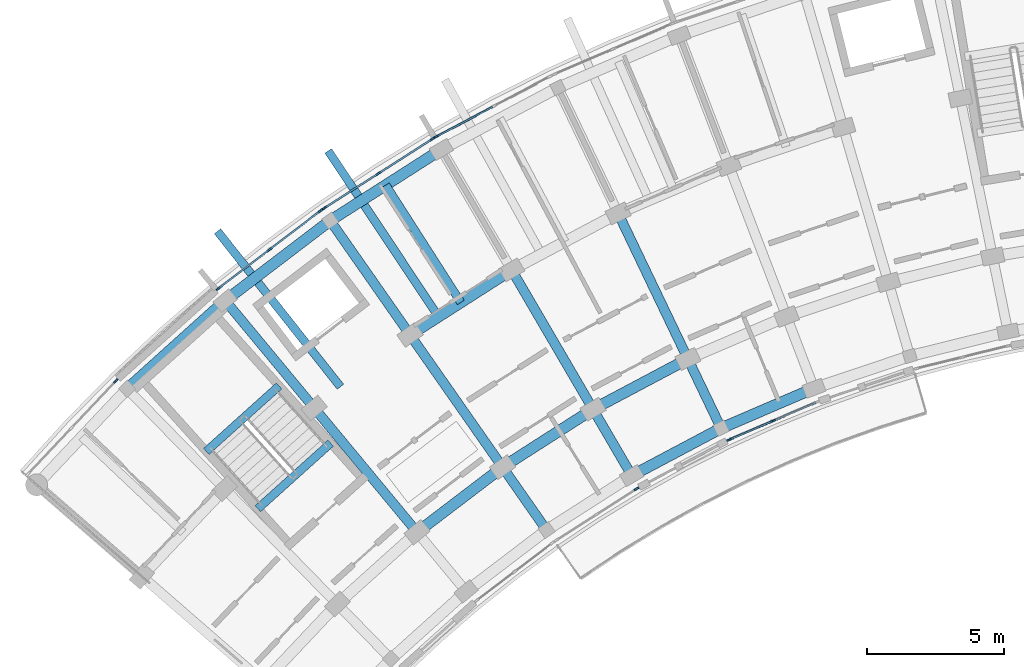
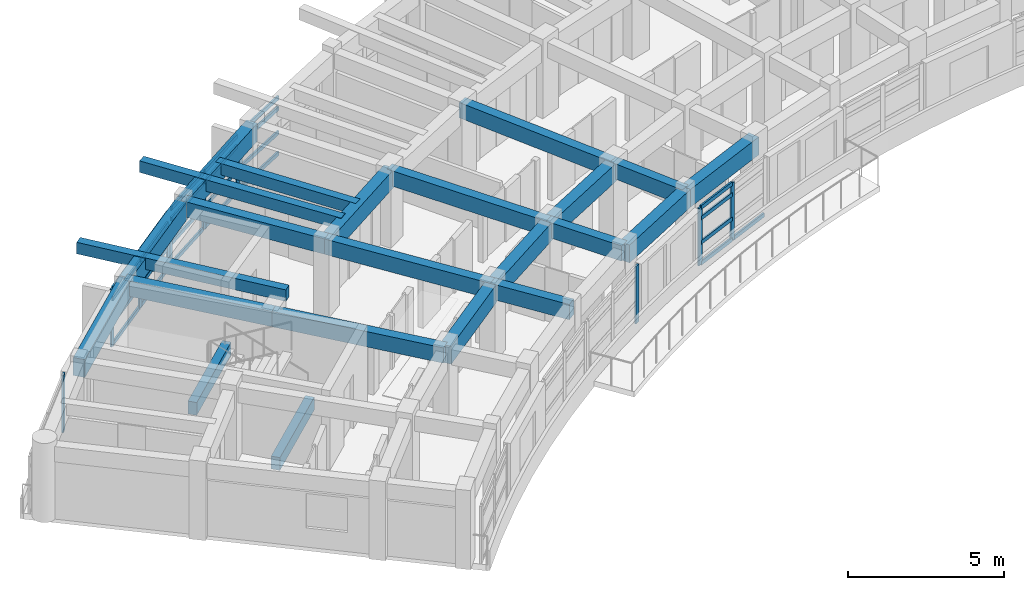
# One storey, part 4 of 56: 36 members, 23 beams, 6 elements without a shape of their own.
"""IFC4 building model written with IfcOpenShell, lengths in metres."""

from ifc_helpers import new_model, si_unit, direction, frame, origin, origin_2d, place, context, subcontext, project, spatial, rectangle, extrude, material, material_profile, profile_set, type_object, element, aggregate, save


model = new_model("IFC4")

# Units and contexts
model_context = context("Model", 3, precision=1e-05, world=origin(), true_north=direction((0.0, 1.0)))
body_context = subcontext(model_context, "Body", "Model", "MODEL_VIEW")
ifc_project = project(units=[si_unit("LENGTHUNIT", "METRE"), si_unit("AREAUNIT", "SQUARE_METRE"), si_unit("VOLUMEUNIT", "CUBIC_METRE"), si_unit("PLANEANGLEUNIT", "RADIAN"), si_unit("MASSUNIT", "GRAM", prefix="KILO")], contexts=[model_context])

# Site, building, storey
site_placement = place(None, origin())
site = spatial("IfcSite", under=ifc_project, at=site_placement, CompositionType="ELEMENT")
building_placement = place(site_placement, origin())
building = spatial("IfcBuilding", under=site, at=building_placement, Name="Zimvara Arc Housing Community", CompositionType="ELEMENT")
storey_placement = place(building_placement, frame((0.0, 0.0, 17.39990234375)))
storey = spatial("IfcBuildingStorey", under=building, at=storey_placement, Name="L05", CompositionType="ELEMENT", Elevation=17.39990234375)

# Beams
ifc_material_1 = material(Name="Concrete C40/50", Category="concrete")
ifc_material_profile_1 = material_profile(ifc_material_1, rectangle(XDim=0.300048828125, YDim=0.449951171875, at=origin_2d()), Name="RC 300x450")
ifc_profile_set_1 = profile_set([ifc_material_profile_1], Name="Concrete C40/50")
beam_type_1 = type_object("IfcBeamType", Name="BM-RC-300x450", PredefinedType="JOIST", material=ifc_profile_set_1)
beam_1_placement = place(storey_placement, frame((16.0224609375, 89.776123046875, 2.64501953125), z_axis=(-0.539052331508, 0.842272274206, 0.0), x_axis=(-0.842272274206, -0.539052331508, 0.0)))
element("IfcBeam", 1, at=beam_1_placement, inside=storey, type_object=beam_type_1, Name="bm:blkA:L05:joist:b3", PredefinedType="JOIST", context=body_context, shape_type="SweptSolid", body=[
    extrude(rectangle(XDim=0.300048828125, YDim=0.449951171875, at=origin_2d()), origin(), (0.0, 0.0, 1.0), 5.07568359375),
])
for number, where, z_axis, x_axis, name in (
    (2, (11.634033203125, 86.703857421875, 2.6650390625), (-0.620202196013, 0.784441990246, 0.0), (-0.784441990246, -0.620202196013, 0.0), "bm:blkA:L05:cant_out:b2"),
    (3, (15.188720703125, 89.285400390625, 2.6650390625), (-0.554114811637, 0.832440253426, 0.0), (-0.832440253426, -0.554114811637, 0.0), "bm:blkA:L05:cant_out:b3"),
):
    element("IfcBeam", number, at=place(storey_placement, frame(where, z_axis=z_axis, x_axis=x_axis)), inside=storey, type_object=beam_type_1, Name=name, PredefinedType="JOIST", context=body_context, shape_type="SweptSolid", body=[
        extrude(rectangle(XDim=0.300048828125, YDim=0.449951171875, at=origin_2d()), origin(), (0.0, 0.0, 1.0), 7.219970703125),
    ])
ifc_material_2 = material(Name="Concrete C40/50", Category="concrete")
ifc_material_profile_2 = material_profile(ifc_material_2, rectangle(XDim=0.300048828125, YDim=0.5, at=origin_2d()), Name="RC 300x500")
ifc_profile_set_2 = profile_set([ifc_material_profile_2], Name="Concrete C40/50")
beam_type_2 = type_object("IfcBeamType", Name="BM-RC-300x500", PredefinedType="BEAM", material=ifc_profile_set_2)
for number, where, z_axis, x_axis, name in (
    (4, (11.278076171875, 84.64697265625, -0.25), (-0.743362151162, -0.668889162881, 0.0), (0.668889162881, -0.743362151162, 0.0), "bm:stair_trim:ST-A1:L05:near"),
    (5, (9.39990234375, 86.734375, 1.300048828125), (-0.743362151162, -0.668889162881, 0.0), (0.668889162881, -0.743362151162, 0.0), "bm:stair_trim:ST-A1:L05:mid"),
):
    element("IfcBeam", number, at=place(storey_placement, frame(where, z_axis=z_axis, x_axis=x_axis)), inside=storey, type_object=beam_type_2, Name=name, PredefinedType="BEAM", context=body_context, shape_type="SweptSolid", body=[
        extrude(rectangle(XDim=0.300048828125, YDim=0.5, at=origin_2d()), origin(), (0.0, 0.0, 1.0), 3.570068359375),
    ])
ifc_material_3 = material(Name="Concrete C40/50", Category="concrete")
ifc_material_profile_3 = material_profile(ifc_material_3, rectangle(XDim=0.35009765625, YDim=0.60009765625, at=origin_2d()), Name="RC 350x600")
ifc_profile_set_3 = profile_set([ifc_material_profile_3], Name="Concrete C40/50")
beam_type_3 = type_object("IfcBeamType", Name="BM-RC-350x600", PredefinedType="BEAM", material=ifc_profile_set_3)
beam_2_placement = place(storey_placement, frame((14.428955078125, 81.401611328125, 2.570068359375), z_axis=(-0.637955964415, 0.770072845559, 0.0), x_axis=(-0.770072845559, -0.637955964415, 0.0)))
element("IfcBeam", 6, at=beam_2_placement, inside=storey, type_object=beam_type_3, Name="bm:blkA:L05:rad:b2:r12", PredefinedType="BEAM", context=body_context, shape_type="SweptSolid", body=[
    extrude(rectangle(XDim=0.35009765625, YDim=0.60009765625, at=origin_2d()), origin(), (0.0, 0.0, 1.0), 5.880126953125),
])
beam_3_placement = place(storey_placement, frame((10.677734375, 85.9296875, 2.570068359375), z_axis=(-0.637983669165, 0.77004989311, 0.0), x_axis=(-0.77004989311, -0.637983669165, 0.0)))
element("IfcBeam", 7, at=beam_3_placement, inside=storey, type_object=beam_type_3, Name="bm:blkA:L05:rad:b2:r23", PredefinedType="BEAM", context=body_context, shape_type="SweptSolid", body=[
    extrude(rectangle(XDim=0.35009765625, YDim=0.60009765625, at=origin_2d()), origin(), (0.0, 0.0, 1.0), 5.080078125),
])
beam_4_placement = place(storey_placement, frame((19.14599609375, 81.478271484375, 2.570068359375), z_axis=(-0.57297651105, 0.819571789281, 0.0), x_axis=(-0.819571789281, -0.57297651105, 0.0)))
element("IfcBeam", 8, at=beam_4_placement, inside=storey, type_object=beam_type_3, Name="bm:blkA:L05:rad:b3:r01", PredefinedType="BEAM", context=body_context, shape_type="SweptSolid", body=[
    extrude(rectangle(XDim=0.35009765625, YDim=0.60009765625, at=origin_2d()), origin(), (0.0, 0.0, 1.0), 2.7998046875),
])
beam_5_placement = place(storey_placement, frame((17.541748046875, 83.77294921875, 2.570068359375), z_axis=(-0.573027549978, 0.819536104736, 0.0), x_axis=(-0.819536104736, -0.573027549978, 0.0)))
element("IfcBeam", 9, at=beam_5_placement, inside=storey, type_object=beam_type_3, Name="bm:blkA:L05:rad:b3:r12", PredefinedType="BEAM", context=body_context, shape_type="SweptSolid", body=[
    extrude(rectangle(XDim=0.35009765625, YDim=0.60009765625, at=origin_2d()), origin(), (0.0, 0.0, 1.0), 5.8798828125),
])
beam_6_placement = place(storey_placement, frame((14.17236328125, 88.591796875, 2.570068359375), z_axis=(-0.573007469479, 0.819550144848, 0.0), x_axis=(-0.819550144848, -0.573007469479, 0.0)))
element("IfcBeam", 10, at=beam_6_placement, inside=storey, type_object=beam_type_3, Name="bm:blkA:L05:rad:b3:r23", PredefinedType="BEAM", context=body_context, shape_type="SweptSolid", body=[
    extrude(rectangle(XDim=0.35009765625, YDim=0.60009765625, at=origin_2d()), origin(), (0.0, 0.0, 1.0), 5.080078125),
])
beam_7_placement = place(storey_placement, frame((22.249267578125, 83.46435546875, 2.570068359375), z_axis=(-0.504239631668, 0.86356377521, 0.0), x_axis=(-0.86356377521, -0.504239631668, 0.0)))
element("IfcBeam", 11, at=beam_7_placement, inside=storey, type_object=beam_type_3, Name="bm:blkA:L05:rad:b4:r01", PredefinedType="BEAM", context=body_context, shape_type="SweptSolid", body=[
    extrude(rectangle(XDim=0.35009765625, YDim=0.60009765625, at=origin_2d()), origin(), (0.0, 0.0, 1.0), 2.800048828125),
])
beam_8_placement = place(storey_placement, frame((20.83740234375, 85.88232421875, 2.570068359375), z_axis=(-0.504219494781, 0.863575532934, 0.0), x_axis=(-0.863575532934, -0.504219494781, 0.0)))
element("IfcBeam", 12, at=beam_8_placement, inside=storey, type_object=beam_type_3, Name="bm:blkA:L05:rad:b4:r12", PredefinedType="BEAM", context=body_context, shape_type="SweptSolid", body=[
    extrude(rectangle(XDim=0.35009765625, YDim=0.60009765625, at=origin_2d()), origin(), (0.0, 0.0, 1.0), 5.880126953125),
])
beam_9_placement = place(storey_placement, frame((25.50439453125, 85.190673828125, 2.570068359375), z_axis=(-0.432118703138, 0.901816736593, 0.0), x_axis=(-0.901816736593, -0.432118703138, 0.0)))
element("IfcBeam", 13, at=beam_9_placement, inside=storey, type_object=beam_type_3, Name="bm:blkA:L05:rad:b5:r01", PredefinedType="BEAM", context=body_context, shape_type="SweptSolid", body=[
    extrude(rectangle(XDim=0.35009765625, YDim=0.60009765625, at=origin_2d()), origin(), (0.0, 0.0, 1.0), 2.800048828125),
])
beam_10_placement = place(storey_placement, frame((24.29443359375, 87.7158203125, 2.570068359375), z_axis=(-0.432069527705, 0.901840298073, 0.0), x_axis=(-0.901840298073, -0.432069527705, 0.0)))
element("IfcBeam", 14, at=beam_10_placement, inside=storey, type_object=beam_type_3, Name="bm:blkA:L05:rad:b5:r12", PredefinedType="BEAM", context=body_context, shape_type="SweptSolid", body=[
    extrude(rectangle(XDim=0.35009765625, YDim=0.60009765625, at=origin_2d()), origin(), (0.0, 0.0, 1.0), 5.8798828125),
])
ifc_material_4 = material(Name="Concrete C40/50", Category="concrete")
ifc_material_profile_4 = material_profile(ifc_material_4, rectangle(XDim=0.39990234375, YDim=0.699951171875, at=origin_2d()), Name="RC 400x700")
ifc_profile_set_4 = profile_set([ifc_material_profile_4], Name="Concrete C40/50")
beam_type_4 = type_object("IfcBeamType", Name="BM-RC-400x700", PredefinedType="BEAM", material=ifc_profile_set_4)
beam_11_placement = place(storey_placement, frame((22.249267578125, 83.46435546875, 2.52001953125), z_axis=(0.883449220086, 0.468526920815, 0.0), x_axis=(-0.468526920815, 0.883449220086, 0.0)))
element("IfcBeam", 15, at=beam_11_placement, inside=storey, type_object=beam_type_4, Name="bm:blkA:L05:chord:r0:b4", PredefinedType="BEAM", context=body_context, shape_type="SweptSolid", body=[
    extrude(rectangle(XDim=0.39990234375, YDim=0.699951171875, at=origin_2d()), origin(), (0.0, 0.0, 1.0), 3.6845703125),
])
beam_12_placement = place(storey_placement, frame((25.50439453125, 85.190673828125, 2.52001953125), z_axis=(0.918705736243, 0.394942742932, 0.0), x_axis=(-0.394942742932, 0.918705736243, 0.0)))
element("IfcBeam", 16, at=beam_12_placement, inside=storey, type_object=beam_type_4, Name="bm:blkA:L05:chord:r0:b5", PredefinedType="BEAM", context=body_context, shape_type="SweptSolid", body=[
    extrude(rectangle(XDim=0.39990234375, YDim=0.699951171875, at=origin_2d()), origin(), (0.0, 0.0, 1.0), 3.684326171875),
])
beam_13_placement = place(storey_placement, frame((14.428955078125, 81.401611328125, 2.52001953125), z_axis=(0.795470387579, 0.605992460749, 0.0), x_axis=(-0.605992460749, 0.795470387579, 0.0)))
element("IfcBeam", 17, at=beam_13_placement, inside=storey, type_object=beam_type_4, Name="bm:blkA:L05:chord:r1:b2", PredefinedType="BEAM", context=body_context, shape_type="SweptSolid", body=[
    extrude(rectangle(XDim=0.39990234375, YDim=0.699951171875, at=origin_2d()), origin(), (0.0, 0.0, 1.0), 3.9130859375),
])
beam_14_placement = place(storey_placement, frame((17.541748046875, 83.77294921875, 2.52001953125), z_axis=(0.842253269878, 0.539082024724, 0.0), x_axis=(-0.539082024724, 0.842253269878, 0.0)))
element("IfcBeam", 18, at=beam_14_placement, inside=storey, type_object=beam_type_4, Name="bm:blkA:L05:chord:r1:b3", PredefinedType="BEAM", context=body_context, shape_type="SweptSolid", body=[
    extrude(rectangle(XDim=0.39990234375, YDim=0.699951171875, at=origin_2d()), origin(), (0.0, 0.0, 1.0), 3.912841796875),
])
beam_15_placement = place(storey_placement, frame((20.83740234375, 85.88232421875, 2.52001953125), z_axis=(0.883438625159, 0.468546897948, 0.0), x_axis=(-0.468546897948, 0.883438625159, 0.0)))
element("IfcBeam", 19, at=beam_15_placement, inside=storey, type_object=beam_type_4, Name="bm:blkA:L05:chord:r1:b4", PredefinedType="BEAM", context=body_context, shape_type="SweptSolid", body=[
    extrude(rectangle(XDim=0.39990234375, YDim=0.699951171875, at=origin_2d()), origin(), (0.0, 0.0, 1.0), 3.9130859375),
])
beam_16_placement = place(storey_placement, frame((14.17236328125, 88.591796875, 2.52001953125), z_axis=(0.842242131326, 0.539099427025, 0.0), x_axis=(-0.539099427025, 0.842242131326, 0.0)))
element("IfcBeam", 20, at=beam_16_placement, inside=storey, type_object=beam_type_4, Name="bm:blkA:L05:chord:r2:b3", PredefinedType="BEAM", context=body_context, shape_type="SweptSolid", body=[
    extrude(rectangle(XDim=0.39990234375, YDim=0.699951171875, at=origin_2d()), origin(), (0.0, 0.0, 1.0), 4.393310546875),
])
beam_17_placement = place(storey_placement, frame((3.862548828125, 86.625732421875, 2.52001953125), z_axis=(0.743395133402, 0.668852506637, 0.0), x_axis=(-0.668852506637, 0.743395133402, 0.0)))
element("IfcBeam", 21, at=beam_17_placement, inside=storey, type_object=beam_type_4, Name="bm:blkA:L05:chord:r3:b1", PredefinedType="BEAM", context=body_context, shape_type="SweptSolid", body=[
    extrude(rectangle(XDim=0.39990234375, YDim=0.699951171875, at=origin_2d()), origin(), (0.0, 0.0, 1.0), 4.807861328125),
])
beam_18_placement = place(storey_placement, frame((7.436767578125, 89.841552734375, 2.52001953125), z_axis=(0.795480673672, 0.605978958228, 0.0), x_axis=(-0.605978958228, 0.795480673672, 0.0)))
element("IfcBeam", 22, at=beam_18_placement, inside=storey, type_object=beam_type_4, Name="bm:blkA:L05:chord:r3:b2", PredefinedType="BEAM", context=body_context, shape_type="SweptSolid", body=[
    extrude(rectangle(XDim=0.39990234375, YDim=0.699951171875, at=origin_2d()), origin(), (0.0, 0.0, 1.0), 4.80810546875),
])
beam_19_placement = place(storey_placement, frame((11.261474609375, 92.755126953125, 2.52001953125), z_axis=(0.842255724028, 0.539078190379, 0.0), x_axis=(-0.539078190379, 0.842255724028, 0.0)))
element("IfcBeam", 23, at=beam_19_placement, inside=storey, type_object=beam_type_4, Name="bm:blkA:L05:chord:r3:b3", PredefinedType="BEAM", context=body_context, shape_type="SweptSolid", body=[
    extrude(rectangle(XDim=0.39990234375, YDim=0.699951171875, at=origin_2d()), origin(), (0.0, 0.0, 1.0), 4.808349609375),
])

# Curtain wall, member
ifc_material_5 = material(Name="Anodised Aluminium AW-6063", Category="aluminium")
curtain_wall_type_1 = type_object("IfcCurtainWallType", Name="CW-SYS-08", PredefinedType="USERDEFINED", material=ifc_material_5)
curtain_wall_1_placement = place(storey_placement, origin())
curtain_wall_1 = element("IfcCurtainWall", 24, at=curtain_wall_1_placement, inside=storey, type_object=curtain_wall_type_1, Name="cw:blkA:L05:in:b3", ObjectType="CURTAIN WALL", PredefinedType="USERDEFINED")
ifc_material_6 = material(Name="Anodised Aluminium AW-6063", Category="aluminium")
ifc_material_profile_5 = material_profile(ifc_material_6, rectangle(XDim=0.06494140625, YDim=0.179931640625, at=origin_2d()), Name="ALU 65x180")
ifc_profile_set_5 = profile_set([ifc_material_profile_5], Name="Anodised Aluminium AW-6063")
member_type_1 = type_object("IfcMemberType", Name="CWM-65x150", PredefinedType="MULLION", material=ifc_profile_set_5)
member_1_placement = place(storey_placement, frame((22.423583984375, 82.982666015625, 0.0), z_axis=(0.0, 0.0, 1.0), x_axis=(-0.539064085203, 0.842264751752, 0.0)))
member_1 = element("IfcMember", 25, at=member_1_placement, type_object=member_type_1, Name="CW08 mullion 3", PredefinedType="MULLION", context=body_context, shape_type="SweptSolid", body=[
    extrude(rectangle(XDim=0.06494140625, YDim=0.179931640625, at=origin_2d()), origin(), (0.0, 0.0, 1.0), 2.25),
])
aggregate(curtain_wall_1, [member_1])

ifc_material_7 = material(Name="Anodised Aluminium AW-6063", Category="aluminium")
curtain_wall_type_2 = type_object("IfcCurtainWallType", Name="CW-SYS-03", PredefinedType="USERDEFINED", material=ifc_material_7)
curtain_wall_2_placement = place(storey_placement, origin())
curtain_wall_2 = element("IfcCurtainWall", 26, at=curtain_wall_2_placement, inside=storey, type_object=curtain_wall_type_2, Name="cw:blkA:L05:out:b0", ObjectType="CURTAIN WALL", PredefinedType="USERDEFINED")
ifc_material_8 = material(Name="Anodised Aluminium AW-6063", Category="aluminium")
ifc_material_profile_6 = material_profile(ifc_material_8, rectangle(XDim=0.06494140625, YDim=0.195068359375, at=origin_2d()), Name="ALU 65x195")
ifc_profile_set_6 = profile_set([ifc_material_profile_6], Name="Anodised Aluminium AW-6063")
member_type_2 = type_object("IfcMemberType", Name="CWM-65x180", PredefinedType="MULLION", material=ifc_profile_set_6)
member_2_placement = place(storey_placement, frame((3.44970703125, 86.916015625, 0.0), z_axis=(0.0, 0.0, 1.0), x_axis=(-0.727293647725, 0.686326416495, 0.0)))
member_2 = element("IfcMember", 27, at=member_2_placement, type_object=member_type_2, Name="CW03 mullion 3", PredefinedType="MULLION", context=body_context, shape_type="SweptSolid", body=[
    extrude(rectangle(XDim=0.06494140625, YDim=0.195068359375, at=origin_2d()), origin(), (0.0, 0.0, 1.0), 2.25),
])
aggregate(curtain_wall_2, [member_2])

# Curtain wall, members
ifc_material_9 = material(Name="Anodised Aluminium AW-6063", Category="aluminium")
curtain_wall_type_3 = type_object("IfcCurtainWallType", Name="CW-SYS-05", PredefinedType="USERDEFINED", material=ifc_material_9)
curtain_wall_3_placement = place(storey_placement, origin())
curtain_wall_3 = element("IfcCurtainWall", 28, at=curtain_wall_3_placement, inside=storey, type_object=curtain_wall_type_3, Name="cw:blkA:L05:out:b2", ObjectType="CURTAIN WALL", PredefinedType="USERDEFINED")
member_3_placement = place(storey_placement, frame((7.19140625, 90.28271484375, 0.0), z_axis=(0.0, 0.0, 1.0), x_axis=(-0.60598771987, 0.795473999177, 0.0)))
member_3 = element("IfcMember", 29, at=member_3_placement, type_object=member_type_2, Name="CW05 mullion 1", PredefinedType="MULLION", context=body_context, shape_type="SweptSolid", body=[
    extrude(rectangle(XDim=0.06494140625, YDim=0.195068359375, at=origin_2d()), origin(), (0.0, 0.0, 1.0), 2.25),
])
member_4_placement = place(storey_placement, frame((9.04638671875, 91.69580078125, 0.0), z_axis=(0.0, 0.0, 1.0), x_axis=(-0.60598771987, 0.795473999177, 0.0)))
member_4 = element("IfcMember", 30, at=member_4_placement, type_object=member_type_2, Name="CW05 mullion 2", PredefinedType="MULLION", context=body_context, shape_type="SweptSolid", body=[
    extrude(rectangle(XDim=0.06494140625, YDim=0.195068359375, at=origin_2d()), origin(), (0.0, 0.0, 1.0), 2.25),
])
member_5_placement = place(storey_placement, frame((10.9013671875, 93.10888671875, 0.0), z_axis=(0.0, 0.0, 1.0), x_axis=(-0.60598771987, 0.795473999177, 0.0)))
member_5 = element("IfcMember", 31, at=member_5_placement, type_object=member_type_2, Name="CW05 mullion 3", PredefinedType="MULLION", context=body_context, shape_type="SweptSolid", body=[
    extrude(rectangle(XDim=0.06494140625, YDim=0.195068359375, at=origin_2d()), origin(), (0.0, 0.0, 1.0), 2.25),
])

ifc_material_10 = material(Name="Anodised Aluminium AW-6063", Category="aluminium")
curtain_wall_type_4 = type_object("IfcCurtainWallType", Name="CW-SYS-07", PredefinedType="USERDEFINED", material=ifc_material_10)
curtain_wall_4_placement = place(storey_placement, origin())
curtain_wall_4 = element("IfcCurtainWall", 32, at=curtain_wall_4_placement, inside=storey, type_object=curtain_wall_type_4, Name="cw:blkA:L05:out:b3", ObjectType="CURTAIN WALL", PredefinedType="USERDEFINED")
member_6_placement = place(storey_placement, frame((11.052978515625, 93.21484375, 0.0), z_axis=(0.0, 0.0, 1.0), x_axis=(-0.539064617721, 0.842264410931, 0.0)))
member_6 = element("IfcMember", 33, at=member_6_placement, type_object=member_type_2, Name="CW07 mullion 1", PredefinedType="MULLION", context=body_context, shape_type="SweptSolid", body=[
    extrude(rectangle(XDim=0.06494140625, YDim=0.195068359375, at=origin_2d()), origin(), (0.0, 0.0, 1.0), 2.25),
])
member_7_placement = place(storey_placement, frame((13.01708984375, 94.471923828125, 0.0), z_axis=(0.0, 0.0, 1.0), x_axis=(-0.539064617721, 0.842264410931, 0.0)))
member_7 = element("IfcMember", 34, at=member_7_placement, type_object=member_type_2, Name="CW07 mullion 2", PredefinedType="MULLION", context=body_context, shape_type="SweptSolid", body=[
    extrude(rectangle(XDim=0.06494140625, YDim=0.195068359375, at=origin_2d()), origin(), (0.0, 0.0, 1.0), 2.25),
])
member_8_placement = place(storey_placement, frame((14.981201171875, 95.72900390625, 0.0), z_axis=(0.0, 0.0, 1.0), x_axis=(-0.539064617721, 0.842264410931, 0.0)))
member_8 = element("IfcMember", 35, at=member_8_placement, type_object=member_type_2, Name="CW07 mullion 3", PredefinedType="MULLION", context=body_context, shape_type="SweptSolid", body=[
    extrude(rectangle(XDim=0.06494140625, YDim=0.195068359375, at=origin_2d()), origin(), (0.0, 0.0, 1.0), 2.25),
])

# Curtain wall, member
ifc_material_11 = material(Name="Anodised Aluminium AW-6063", Category="aluminium")
curtain_wall_type_5 = type_object("IfcCurtainWallType", Name="CW-SYS-01", PredefinedType="USERDEFINED", material=ifc_material_11)
curtain_wall_5_placement = place(storey_placement, origin())
curtain_wall_5 = element("IfcCurtainWall", 36, at=curtain_wall_5_placement, inside=storey, type_object=curtain_wall_type_5, Name="cw:blkA:L05:out:b4", ObjectType="CURTAIN WALL", PredefinedType="USERDEFINED")
member_9_placement = place(storey_placement, frame((15.140869140625, 95.822265625, 0.0), z_axis=(0.0, 0.0, 1.0), x_axis=(-0.468546917761, 0.883438614651, 0.0)))
member_9 = element("IfcMember", 37, at=member_9_placement, type_object=member_type_2, Name="CW01 mullion 1", PredefinedType="MULLION", context=body_context, shape_type="SweptSolid", body=[
    extrude(rectangle(XDim=0.06494140625, YDim=0.195068359375, at=origin_2d()), origin(), (0.0, 0.0, 1.0), 2.25),
])

# Curtain wall, members
curtain_wall_6_placement = place(storey_placement, origin())
curtain_wall_6 = element("IfcCurtainWall", 38, at=curtain_wall_6_placement, inside=storey, type_object=curtain_wall_type_2, Name="cw:blkA:L05:in:b5", ObjectType="CURTAIN WALL", PredefinedType="USERDEFINED")
member_10_placement = place(storey_placement, frame((25.805419921875, 84.7763671875, 0.0), z_axis=(0.0, 0.0, 1.0), x_axis=(-0.394904493375, 0.918722178415, 0.0)))
member_10 = element("IfcMember", 39, at=member_10_placement, type_object=member_type_2, Name="CW03 mullion 1", PredefinedType="MULLION", context=body_context, shape_type="SweptSolid", body=[
    extrude(rectangle(XDim=0.06494140625, YDim=0.195068359375, at=origin_2d()), origin(), (0.0, 0.0, 1.0), 2.25),
])
member_11_placement = place(storey_placement, frame((27.39404296875, 85.459228515625, 0.0), z_axis=(0.0, 0.0, 1.0), x_axis=(-0.394904493375, 0.918722178415, 0.0)))
member_11 = element("IfcMember", 40, at=member_11_placement, type_object=member_type_2, Name="CW03 mullion 2", PredefinedType="MULLION", context=body_context, shape_type="SweptSolid", body=[
    extrude(rectangle(XDim=0.06494140625, YDim=0.195068359375, at=origin_2d()), origin(), (0.0, 0.0, 1.0), 2.25),
])

# Member
ifc_material_12 = material(Name="Anodised Aluminium AW-6063", Category="aluminium")
ifc_material_profile_7 = material_profile(ifc_material_12, rectangle(XDim=0.06494140625, YDim=0.155029296875, at=origin_2d()), Name="ALU 65x155")
ifc_profile_set_7 = profile_set([ifc_material_profile_7], Name="Anodised Aluminium AW-6063")
member_type_3 = type_object("IfcMemberType", Name="CWT-65x140", PredefinedType="USERDEFINED", material=ifc_profile_set_7)
member_12_placement = place(storey_placement, frame((7.21728515625, 90.302490234375, 0.03271484375), z_axis=(0.795505886513, 0.605945859399, 0.0), x_axis=(-0.605945859399, 0.795505886513, 0.0)))
member_12 = element("IfcMember", 41, at=member_12_placement, type_object=member_type_3, Name="CW05 transom 1.1", ObjectType="TRANSOM", PredefinedType="USERDEFINED", context=body_context, shape_type="SweptSolid", body=[
    extrude(rectangle(XDim=0.06494140625, YDim=0.155029296875, at=origin_2d()), origin(), (0.0, 0.0, 1.0), 2.266845703125),
])

member_13_placement = place(storey_placement, frame((7.21728515625, 90.302490234375, 0.85009765625), z_axis=(0.795505886513, 0.605945859399, 0.0), x_axis=(-0.605945859399, 0.795505886513, 0.0)))
member_13 = element("IfcMember", 42, at=member_13_placement, type_object=member_type_3, Name="CW05 transom 1.2", ObjectType="TRANSOM", PredefinedType="USERDEFINED", context=body_context, shape_type="SweptSolid", body=[
    extrude(rectangle(XDim=0.06494140625, YDim=0.155029296875, at=origin_2d()), origin(), (0.0, 0.0, 1.0), 2.266845703125),
])

member_14_placement = place(storey_placement, frame((7.21728515625, 90.302490234375, 1.800048828125), z_axis=(0.795505886513, 0.605945859399, 0.0), x_axis=(-0.605945859399, 0.795505886513, 0.0)))
member_14 = element("IfcMember", 43, at=member_14_placement, type_object=member_type_3, Name="CW05 transom 1.3", ObjectType="TRANSOM", PredefinedType="USERDEFINED", context=body_context, shape_type="SweptSolid", body=[
    extrude(rectangle(XDim=0.06494140625, YDim=0.155029296875, at=origin_2d()), origin(), (0.0, 0.0, 1.0), 2.266845703125),
])

member_15_placement = place(storey_placement, frame((7.21728515625, 90.302490234375, 2.217529296875), z_axis=(0.795505886513, 0.605945859399, 0.0), x_axis=(-0.605945859399, 0.795505886513, 0.0)))
member_15 = element("IfcMember", 44, at=member_15_placement, type_object=member_type_3, Name="CW05 transom 1.4", ObjectType="TRANSOM", PredefinedType="USERDEFINED", context=body_context, shape_type="SweptSolid", body=[
    extrude(rectangle(XDim=0.06494140625, YDim=0.155029296875, at=origin_2d()), origin(), (0.0, 0.0, 1.0), 2.266845703125),
])

member_16_placement = place(storey_placement, frame((9.072265625, 91.715576171875, 0.03271484375), z_axis=(0.795453969776, 0.606014011363, 0.0), x_axis=(-0.606014011363, 0.795453969776, 0.0)))
member_16 = element("IfcMember", 45, at=member_16_placement, type_object=member_type_3, Name="CW05 transom 2.1", ObjectType="TRANSOM", PredefinedType="USERDEFINED", context=body_context, shape_type="SweptSolid", body=[
    extrude(rectangle(XDim=0.06494140625, YDim=0.155029296875, at=origin_2d()), origin(), (0.0, 0.0, 1.0), 2.266845703125),
])

member_17_placement = place(storey_placement, frame((9.072265625, 91.715576171875, 0.85009765625), z_axis=(0.795453969776, 0.606014011363, 0.0), x_axis=(-0.606014011363, 0.795453969776, 0.0)))
member_17 = element("IfcMember", 46, at=member_17_placement, type_object=member_type_3, Name="CW05 transom 2.2", ObjectType="TRANSOM", PredefinedType="USERDEFINED", context=body_context, shape_type="SweptSolid", body=[
    extrude(rectangle(XDim=0.06494140625, YDim=0.155029296875, at=origin_2d()), origin(), (0.0, 0.0, 1.0), 2.266845703125),
])

member_18_placement = place(storey_placement, frame((9.072265625, 91.715576171875, 1.800048828125), z_axis=(0.795453969776, 0.606014011363, 0.0), x_axis=(-0.606014011363, 0.795453969776, 0.0)))
member_18 = element("IfcMember", 47, at=member_18_placement, type_object=member_type_3, Name="CW05 transom 2.3", ObjectType="TRANSOM", PredefinedType="USERDEFINED", context=body_context, shape_type="SweptSolid", body=[
    extrude(rectangle(XDim=0.06494140625, YDim=0.155029296875, at=origin_2d()), origin(), (0.0, 0.0, 1.0), 2.266845703125),
])

member_19_placement = place(storey_placement, frame((9.072265625, 91.715576171875, 2.217529296875), z_axis=(0.795453969776, 0.606014011363, 0.0), x_axis=(-0.606014011363, 0.795453969776, 0.0)))
member_19 = element("IfcMember", 48, at=member_19_placement, type_object=member_type_3, Name="CW05 transom 2.4", ObjectType="TRANSOM", PredefinedType="USERDEFINED", context=body_context, shape_type="SweptSolid", body=[
    extrude(rectangle(XDim=0.06494140625, YDim=0.155029296875, at=origin_2d()), origin(), (0.0, 0.0, 1.0), 2.266845703125),
])

aggregate(curtain_wall_3, [member_3, member_4, member_5, member_12, member_13, member_14, member_15, member_16, member_17, member_18, member_19])

member_20_placement = place(storey_placement, frame((11.080322265625, 93.232421875, 0.03271484375), z_axis=(0.842292914806, 0.539020079095, 0.0), x_axis=(-0.539020079095, 0.842292914806, 0.0)))
member_20 = element("IfcMember", 49, at=member_20_placement, type_object=member_type_3, Name="CW07 transom 1.1", ObjectType="TRANSOM", PredefinedType="USERDEFINED", context=body_context, shape_type="SweptSolid", body=[
    extrude(rectangle(XDim=0.06494140625, YDim=0.155029296875, at=origin_2d()), origin(), (0.0, 0.0, 1.0), 2.266845703125),
])

member_21_placement = place(storey_placement, frame((11.080322265625, 93.232421875, 0.85009765625), z_axis=(0.842292914806, 0.539020079095, 0.0), x_axis=(-0.539020079095, 0.842292914806, 0.0)))
member_21 = element("IfcMember", 50, at=member_21_placement, type_object=member_type_3, Name="CW07 transom 1.2", ObjectType="TRANSOM", PredefinedType="USERDEFINED", context=body_context, shape_type="SweptSolid", body=[
    extrude(rectangle(XDim=0.06494140625, YDim=0.155029296875, at=origin_2d()), origin(), (0.0, 0.0, 1.0), 2.266845703125),
])

member_22_placement = place(storey_placement, frame((11.080322265625, 93.232421875, 1.800048828125), z_axis=(0.842292914806, 0.539020079095, 0.0), x_axis=(-0.539020079095, 0.842292914806, 0.0)))
member_22 = element("IfcMember", 51, at=member_22_placement, type_object=member_type_3, Name="CW07 transom 1.3", ObjectType="TRANSOM", PredefinedType="USERDEFINED", context=body_context, shape_type="SweptSolid", body=[
    extrude(rectangle(XDim=0.06494140625, YDim=0.155029296875, at=origin_2d()), origin(), (0.0, 0.0, 1.0), 2.266845703125),
])

member_23_placement = place(storey_placement, frame((11.080322265625, 93.232421875, 2.217529296875), z_axis=(0.842292914806, 0.539020079095, 0.0), x_axis=(-0.539020079095, 0.842292914806, 0.0)))
member_23 = element("IfcMember", 52, at=member_23_placement, type_object=member_type_3, Name="CW07 transom 1.4", ObjectType="TRANSOM", PredefinedType="USERDEFINED", context=body_context, shape_type="SweptSolid", body=[
    extrude(rectangle(XDim=0.06494140625, YDim=0.155029296875, at=origin_2d()), origin(), (0.0, 0.0, 1.0), 2.266845703125),
])

member_24_placement = place(storey_placement, frame((13.04443359375, 94.489501953125, 0.03271484375), z_axis=(0.842292914806, 0.539020079095, 0.0), x_axis=(-0.539020079095, 0.842292914806, 0.0)))
member_24 = element("IfcMember", 53, at=member_24_placement, type_object=member_type_3, Name="CW07 transom 2.1", ObjectType="TRANSOM", PredefinedType="USERDEFINED", context=body_context, shape_type="SweptSolid", body=[
    extrude(rectangle(XDim=0.06494140625, YDim=0.155029296875, at=origin_2d()), origin(), (0.0, 0.0, 1.0), 2.266845703125),
])

member_25_placement = place(storey_placement, frame((13.04443359375, 94.489501953125, 0.85009765625), z_axis=(0.842292914806, 0.539020079095, 0.0), x_axis=(-0.539020079095, 0.842292914806, 0.0)))
member_25 = element("IfcMember", 54, at=member_25_placement, type_object=member_type_3, Name="CW07 transom 2.2", ObjectType="TRANSOM", PredefinedType="USERDEFINED", context=body_context, shape_type="SweptSolid", body=[
    extrude(rectangle(XDim=0.06494140625, YDim=0.155029296875, at=origin_2d()), origin(), (0.0, 0.0, 1.0), 2.266845703125),
])

member_26_placement = place(storey_placement, frame((13.04443359375, 94.489501953125, 1.800048828125), z_axis=(0.842292914806, 0.539020079095, 0.0), x_axis=(-0.539020079095, 0.842292914806, 0.0)))
member_26 = element("IfcMember", 55, at=member_26_placement, type_object=member_type_3, Name="CW07 transom 2.3", ObjectType="TRANSOM", PredefinedType="USERDEFINED", context=body_context, shape_type="SweptSolid", body=[
    extrude(rectangle(XDim=0.06494140625, YDim=0.155029296875, at=origin_2d()), origin(), (0.0, 0.0, 1.0), 2.266845703125),
])

member_27_placement = place(storey_placement, frame((13.04443359375, 94.489501953125, 2.217529296875), z_axis=(0.842292914806, 0.539020079095, 0.0), x_axis=(-0.539020079095, 0.842292914806, 0.0)))
member_27 = element("IfcMember", 56, at=member_27_placement, type_object=member_type_3, Name="CW07 transom 2.4", ObjectType="TRANSOM", PredefinedType="USERDEFINED", context=body_context, shape_type="SweptSolid", body=[
    extrude(rectangle(XDim=0.06494140625, YDim=0.155029296875, at=origin_2d()), origin(), (0.0, 0.0, 1.0), 2.266845703125),
])

aggregate(curtain_wall_4, [member_6, member_7, member_8, member_20, member_21, member_22, member_23, member_24, member_25, member_26, member_27])

member_28_placement = place(storey_placement, frame((15.16943359375, 95.83740234375, 0.03271484375), z_axis=(0.883420900208, 0.468580316568, 0.0), x_axis=(-0.468580316568, 0.883420900208, 0.0)))
member_28 = element("IfcMember", 57, at=member_28_placement, type_object=member_type_3, Name="CW01 transom 1.1", ObjectType="TRANSOM", PredefinedType="USERDEFINED", context=body_context, shape_type="SweptSolid", body=[
    extrude(rectangle(XDim=0.06494140625, YDim=0.155029296875, at=origin_2d()), origin(), (0.0, 0.0, 1.0), 2.266845703125),
])

member_29_placement = place(storey_placement, frame((15.16943359375, 95.83740234375, 0.85009765625), z_axis=(0.883420900208, 0.468580316568, 0.0), x_axis=(-0.468580316568, 0.883420900208, 0.0)))
member_29 = element("IfcMember", 58, at=member_29_placement, type_object=member_type_3, Name="CW01 transom 1.2", ObjectType="TRANSOM", PredefinedType="USERDEFINED", context=body_context, shape_type="SweptSolid", body=[
    extrude(rectangle(XDim=0.06494140625, YDim=0.155029296875, at=origin_2d()), origin(), (0.0, 0.0, 1.0), 2.266845703125),
])

member_30_placement = place(storey_placement, frame((15.16943359375, 95.83740234375, 1.800048828125), z_axis=(0.883420900208, 0.468580316568, 0.0), x_axis=(-0.468580316568, 0.883420900208, 0.0)))
member_30 = element("IfcMember", 59, at=member_30_placement, type_object=member_type_3, Name="CW01 transom 1.3", ObjectType="TRANSOM", PredefinedType="USERDEFINED", context=body_context, shape_type="SweptSolid", body=[
    extrude(rectangle(XDim=0.06494140625, YDim=0.155029296875, at=origin_2d()), origin(), (0.0, 0.0, 1.0), 2.266845703125),
])

member_31_placement = place(storey_placement, frame((15.16943359375, 95.83740234375, 2.217529296875), z_axis=(0.883420900208, 0.468580316568, 0.0), x_axis=(-0.468580316568, 0.883420900208, 0.0)))
member_31 = element("IfcMember", 60, at=member_31_placement, type_object=member_type_3, Name="CW01 transom 1.4", ObjectType="TRANSOM", PredefinedType="USERDEFINED", context=body_context, shape_type="SweptSolid", body=[
    extrude(rectangle(XDim=0.06494140625, YDim=0.155029296875, at=origin_2d()), origin(), (0.0, 0.0, 1.0), 2.266845703125),
])

aggregate(curtain_wall_5, [member_9, member_28, member_29, member_30, member_31])

member_32_placement = place(storey_placement, frame((25.835205078125, 84.7890625, 0.03271484375), z_axis=(0.918727202972, 0.394892803832, 0.0), x_axis=(-0.394892803832, 0.918727202972, 0.0)))
member_32 = element("IfcMember", 61, at=member_32_placement, type_object=member_type_3, Name="CW03 transom 1.1", ObjectType="TRANSOM", PredefinedType="USERDEFINED", context=body_context, shape_type="SweptSolid", body=[
    extrude(rectangle(XDim=0.06494140625, YDim=0.155029296875, at=origin_2d()), origin(), (0.0, 0.0, 1.0), 1.664306640625),
])

member_33_placement = place(storey_placement, frame((25.835205078125, 84.7890625, 0.85009765625), z_axis=(0.918727202972, 0.394892803832, 0.0), x_axis=(-0.394892803832, 0.918727202972, 0.0)))
member_33 = element("IfcMember", 62, at=member_33_placement, type_object=member_type_3, Name="CW03 transom 1.2", ObjectType="TRANSOM", PredefinedType="USERDEFINED", context=body_context, shape_type="SweptSolid", body=[
    extrude(rectangle(XDim=0.06494140625, YDim=0.155029296875, at=origin_2d()), origin(), (0.0, 0.0, 1.0), 1.664306640625),
])

member_34_placement = place(storey_placement, frame((25.835205078125, 84.7890625, 1.800048828125), z_axis=(0.918727202972, 0.394892803832, 0.0), x_axis=(-0.394892803832, 0.918727202972, 0.0)))
member_34 = element("IfcMember", 63, at=member_34_placement, type_object=member_type_3, Name="CW03 transom 1.3", ObjectType="TRANSOM", PredefinedType="USERDEFINED", context=body_context, shape_type="SweptSolid", body=[
    extrude(rectangle(XDim=0.06494140625, YDim=0.155029296875, at=origin_2d()), origin(), (0.0, 0.0, 1.0), 1.664306640625),
])

member_35_placement = place(storey_placement, frame((25.835205078125, 84.7890625, 2.217529296875), z_axis=(0.918727202972, 0.394892803832, 0.0), x_axis=(-0.394892803832, 0.918727202972, 0.0)))
member_35 = element("IfcMember", 64, at=member_35_placement, type_object=member_type_3, Name="CW03 transom 1.4", ObjectType="TRANSOM", PredefinedType="USERDEFINED", context=body_context, shape_type="SweptSolid", body=[
    extrude(rectangle(XDim=0.06494140625, YDim=0.155029296875, at=origin_2d()), origin(), (0.0, 0.0, 1.0), 1.664306640625),
])

member_36_placement = place(storey_placement, frame((27.423828125, 85.471923828125, 0.03271484375), z_axis=(0.918673978315, 0.395016609229, 0.0), x_axis=(-0.395016609229, 0.918673978315, 0.0)))
member_36 = element("IfcMember", 65, at=member_36_placement, type_object=member_type_3, Name="CW03 transom 2.1", ObjectType="TRANSOM", PredefinedType="USERDEFINED", context=body_context, shape_type="SweptSolid", body=[
    extrude(rectangle(XDim=0.06494140625, YDim=0.155029296875, at=origin_2d()), origin(), (0.0, 0.0, 1.0), 1.664306640625),
])

aggregate(curtain_wall_6, [member_10, member_11, member_32, member_33, member_34, member_35, member_36])

save(model, "model.ifc")
